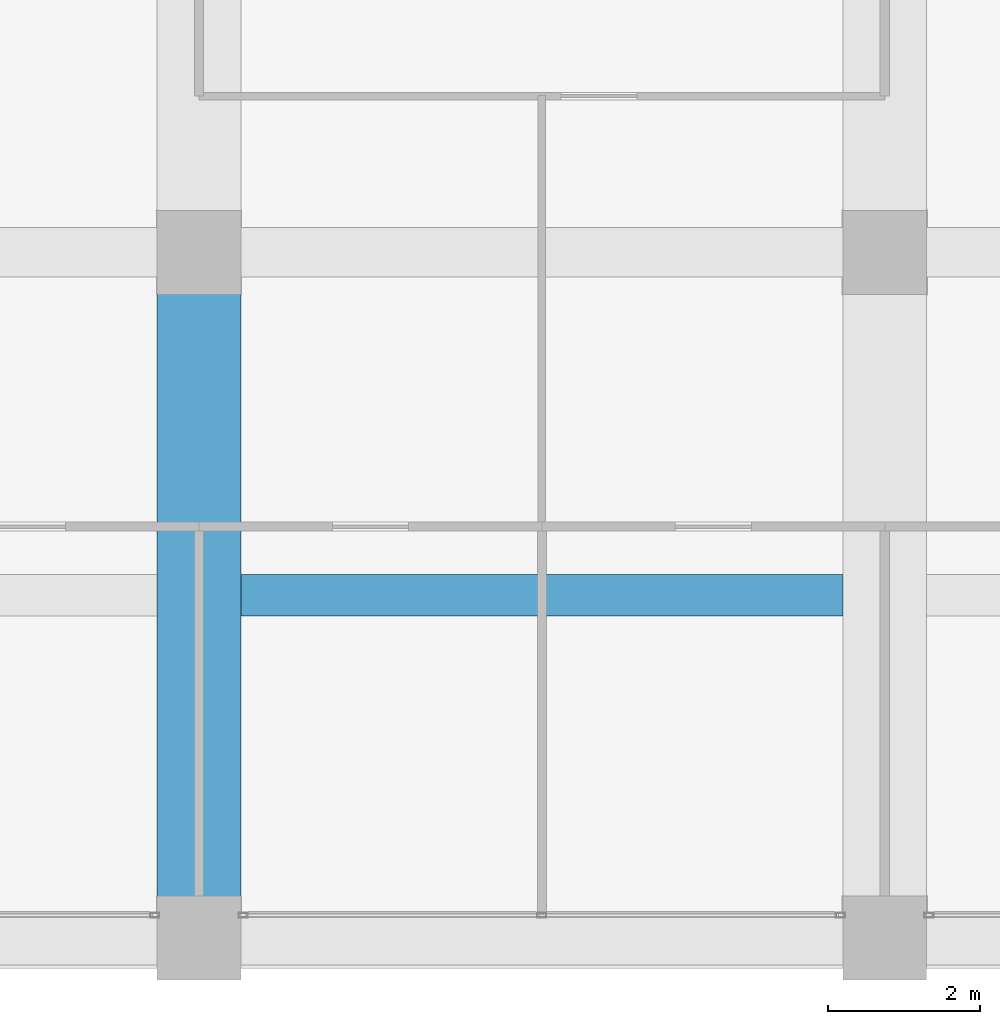
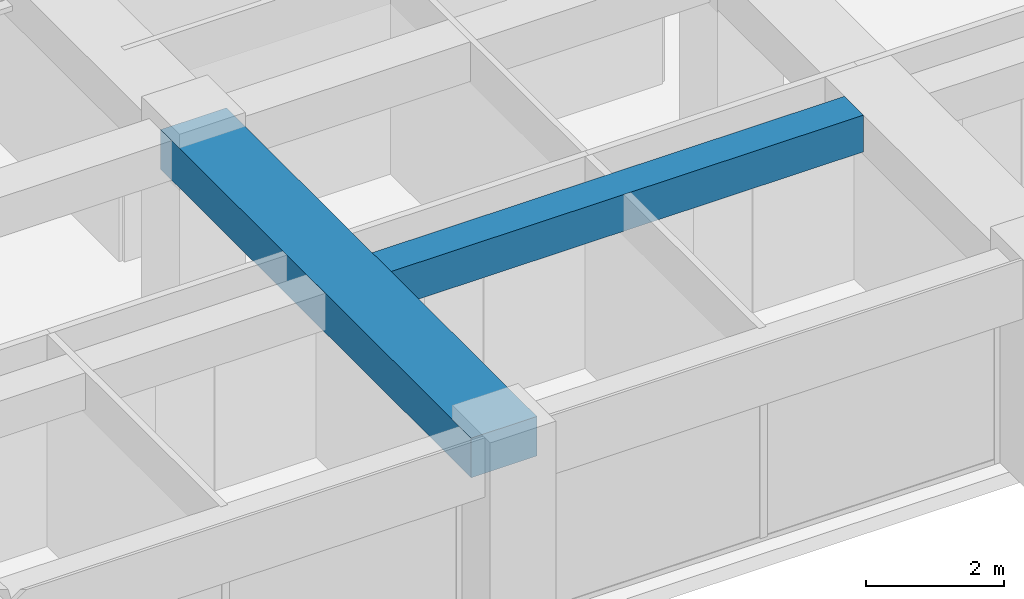
# One storey, part 10 of 44: 2 beams.
"""IFC4 building model written with IfcOpenShell, lengths in metres."""

from ifc_helpers import new_model, si_unit, direction, frame, origin, origin_2d, place, context, subcontext, project, spatial, rectangle, extrude, material, material_profile, profile_set, type_object, element, save


model = new_model("IFC4")

# Units and contexts
model_context = context("Model", 3, precision=1e-05, world=origin(), true_north=direction((0.0, 1.0)))
body_context = subcontext(model_context, "Body", "Model", "MODEL_VIEW")
ifc_project = project(units=[si_unit("LENGTHUNIT", "METRE"), si_unit("AREAUNIT", "SQUARE_METRE"), si_unit("VOLUMEUNIT", "CUBIC_METRE"), si_unit("PLANEANGLEUNIT", "RADIAN"), si_unit("MASSUNIT", "GRAM", prefix="KILO")], contexts=[model_context])

# Site, building, storey
site_placement = place(None, origin())
site = spatial("IfcSite", under=ifc_project, at=site_placement, CompositionType="ELEMENT")
building_placement = place(site_placement, origin())
building = spatial("IfcBuilding", under=site, at=building_placement, Name="Zorevar Civic Tower", CompositionType="ELEMENT")
storey_placement = place(building_placement, frame((0.0, 0.0, 275.39990234375)))
storey = spatial("IfcBuildingStorey", under=building, at=storey_placement, Name="L67", CompositionType="ELEMENT", Elevation=275.39990234375)

# Beams
ifc_material_1 = material(Name="Concrete C50/60", Category="concrete")
ifc_material_profile_1 = material_profile(ifc_material_1, rectangle(XDim=1.10009765625, YDim=0.699951171875, at=origin_2d()), Name="RC 1100x700")
ifc_profile_set_1 = profile_set([ifc_material_profile_1], Name="Concrete C50/60")
beam_type_1 = type_object("IfcBeamType", Name="Beam RC 1100x700", PredefinedType="BEAM", material=ifc_profile_set_1)
beam_1_placement = place(storey_placement, frame((27.0, 0.0, 3.400146484375), z_axis=(0.0, 1.0, 0.0), x_axis=(-1.0, 0.0, 0.0)))
element("IfcBeam", 1, at=beam_1_placement, inside=storey, type_object=beam_type_1, Name="Girder L68", PredefinedType="BEAM", context=body_context, shape_type="SweptSolid", body=[
    extrude(rectangle(XDim=1.10009765625, YDim=0.699951171875, at=origin_2d()), origin(), (0.0, 0.0, 1.0), 9.0),
])
ifc_material_2 = material(Name="Concrete C50/60", Category="concrete")
ifc_material_profile_2 = material_profile(ifc_material_2, rectangle(XDim=0.550048828125, YDim=0.64990234375, at=origin_2d()), Name="RC 550x650")
ifc_profile_set_2 = profile_set([ifc_material_profile_2], Name="Concrete C50/60")
beam_type_2 = type_object("IfcBeamType", Name="Beam RC 550x650", PredefinedType="BEAM", material=ifc_profile_set_2)
beam_2_placement = place(storey_placement, frame((27.550048828125, 4.5, 3.425048828125), z_axis=(1.0, 0.0, 0.0), x_axis=(0.0, 1.0, 0.0)))
element("IfcBeam", 2, at=beam_2_placement, inside=storey, type_object=beam_type_2, Name="Secondary beam L68", PredefinedType="BEAM", context=body_context, shape_type="SweptSolid", body=[
    extrude(rectangle(XDim=0.550048828125, YDim=0.64990234375, at=origin_2d()), origin(), (0.0, 0.0, 1.0), 7.89990234375),
])

save(model, "model.ifc")
